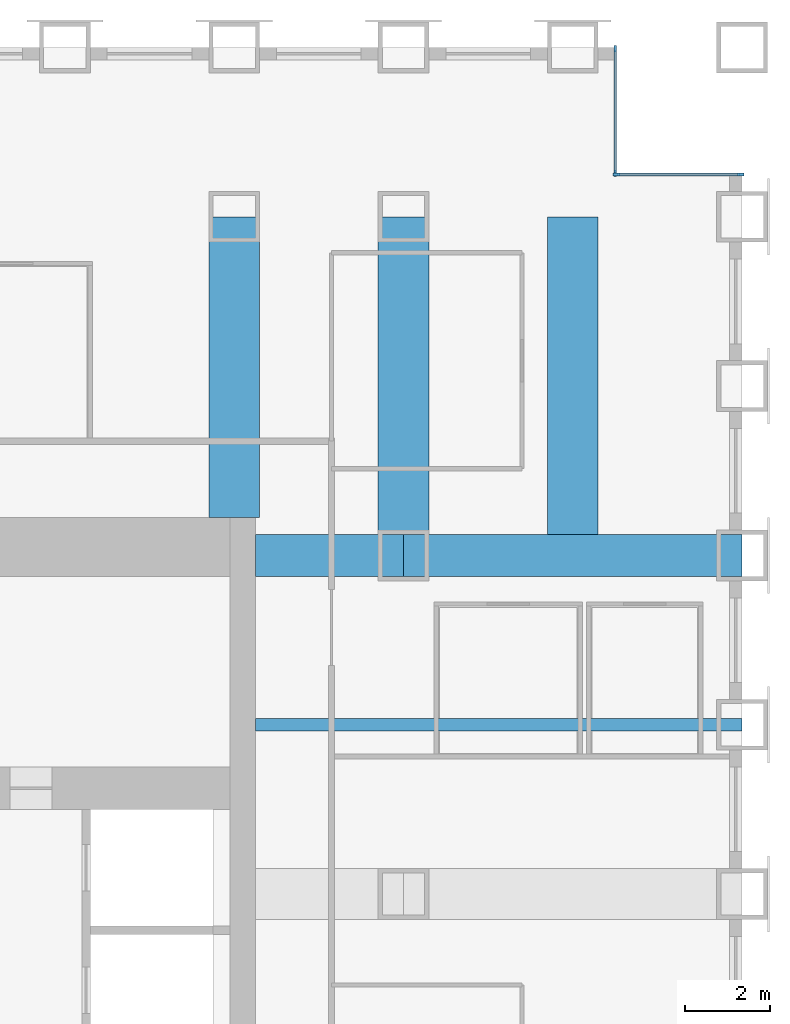
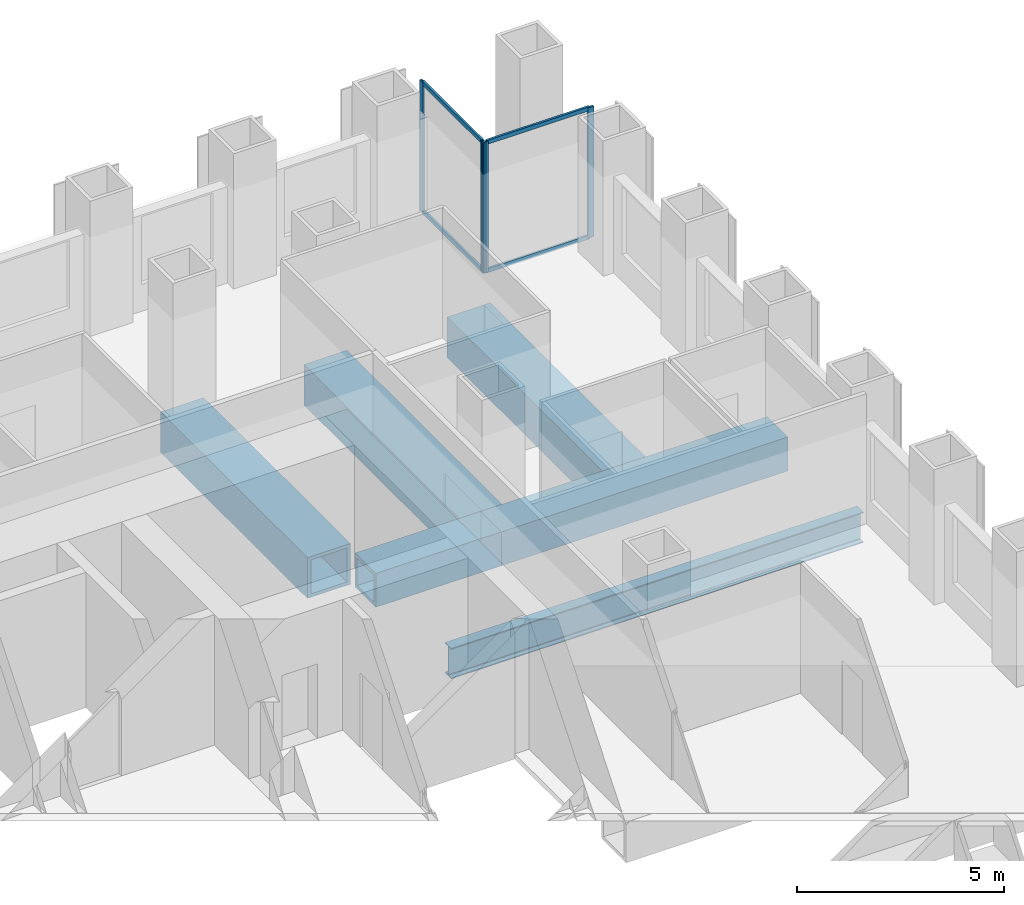
# One storey, part 6 of 14: 8 members, 6 beams, 2 elements without a shape of their own.
"""IFC4 building model written with IfcOpenShell, lengths in metres."""

from ifc_helpers import new_model, si_unit, direction, frame, origin, origin_2d, place, context, subcontext, project, spatial, rectangle, hollow_rectangle, i_section, extrude, material, material_profile, profile_set, type_object, element, aggregate, save


model = new_model("IFC4")

# Units and contexts
model_context = context("Model", 3, precision=1e-05, world=origin(), true_north=direction((0.0, 1.0)))
body_context = subcontext(model_context, "Body", "Model", "MODEL_VIEW")
ifc_project = project(units=[si_unit("LENGTHUNIT", "METRE"), si_unit("AREAUNIT", "SQUARE_METRE"), si_unit("VOLUMEUNIT", "CUBIC_METRE"), si_unit("PLANEANGLEUNIT", "RADIAN"), si_unit("MASSUNIT", "GRAM", prefix="KILO")], contexts=[model_context])

# Site, building, storey
site_placement = place(None, origin())
site = spatial("IfcSite", under=ifc_project, at=site_placement, CompositionType="ELEMENT")
building_placement = place(site_placement, origin())
building = spatial("IfcBuilding", under=site, at=building_placement, Name="Rimbunsela Tower", CompositionType="ELEMENT")
storey_placement = place(building_placement, frame((0.0, 0.0, 47.0)))
storey = spatial("IfcBuildingStorey", under=building, at=storey_placement, Name="L11", CompositionType="ELEMENT", Elevation=47.0)

# Beams
ifc_material_1 = material(Name="Steel BJ 55 (fy 410 MPa)", Category="steel")
ifc_material_profile_1 = material_profile(ifc_material_1, hollow_rectangle(XDim=1.0, YDim=1.0, WallThickness=0.10009765625, at=origin_2d()), Name="BOX 1000x1000x100")
ifc_profile_set_1 = profile_set([ifc_material_profile_1], Name="Steel BJ 55 (fy 410 MPa)")
beam_type_1 = type_object("IfcBeamType", Name="Beam BOX 1000x1000x100", PredefinedType="BEAM", material=ifc_profile_set_1)
beam_1_placement = place(storey_placement, frame((42.5, 36.0, -0.64990234375), z_axis=(1.0, 0.0, 0.0), x_axis=(0.0, 1.0, 0.0)))
element("IfcBeam", 1, at=beam_1_placement, inside=storey, type_object=beam_type_1, Name="Beam B3 L11", PredefinedType="BEAM", context=body_context, shape_type="SweptSolid", body=[
    extrude(hollow_rectangle(XDim=1.0, YDim=1.0, WallThickness=0.10009765625, at=origin_2d()), origin(), (0.0, 0.0, 1.0), 3.5),
])
beam_2_placement = place(storey_placement, frame((46.0, 36.0, -0.64990234375), z_axis=(1.0, 0.0, 0.0), x_axis=(0.0, 1.0, 0.0)))
element("IfcBeam", 2, at=beam_2_placement, inside=storey, type_object=beam_type_1, Name="Beam B3 L11", PredefinedType="BEAM", context=body_context, shape_type="SweptSolid", body=[
    extrude(hollow_rectangle(XDim=1.0, YDim=1.0, WallThickness=0.10009765625, at=origin_2d()), origin(), (0.0, 0.0, 1.0), 8.0),
])
ifc_material_2 = material(Name="Steel BJ 55 (fy 410 MPa)", Category="steel")
ifc_material_profile_2 = material_profile(ifc_material_2, hollow_rectangle(XDim=1.199951171875, YDim=1.199951171875, WallThickness=0.10009765625, at=origin_2d()), Name="BOX 1200x1200x100")
ifc_profile_set_2 = profile_set([ifc_material_profile_2], Name="Steel BJ 55 (fy 410 MPa)")
beam_type_2 = type_object("IfcBeamType", Name="Beam BOX 1200x1200x100", PredefinedType="BEAM", material=ifc_profile_set_2)
beam_3_placement = place(storey_placement, frame((42.0, 36.89990234375, -0.75), z_axis=(0.0, 1.0, 0.0), x_axis=(-1.0, 0.0, 0.0)))
element("IfcBeam", 3, at=beam_3_placement, inside=storey, type_object=beam_type_2, Name="Beam B5 L11", PredefinedType="BEAM", context=body_context, shape_type="SweptSolid", body=[
    extrude(hollow_rectangle(XDim=1.199951171875, YDim=1.199951171875, WallThickness=0.10009765625, at=origin_2d()), origin(), (0.0, 0.0, 1.0), 7.10009765625),
])
beam_4_placement = place(storey_placement, frame((46.0, 36.0, -0.75), z_axis=(0.0, 1.0, 0.0), x_axis=(-1.0, 0.0, 0.0)))
element("IfcBeam", 4, at=beam_4_placement, inside=storey, type_object=beam_type_2, Name="Beam B5 L11", PredefinedType="BEAM", context=body_context, shape_type="SweptSolid", body=[
    extrude(hollow_rectangle(XDim=1.199951171875, YDim=1.199951171875, WallThickness=0.10009765625, at=origin_2d()), origin(), (0.0, 0.0, 1.0), 8.0),
])
beam_5_placement = place(storey_placement, frame((50.0, 36.5, -0.75), z_axis=(0.0, 1.0, 0.0), x_axis=(-1.0, 0.0, 0.0)))
element("IfcBeam", 5, at=beam_5_placement, inside=storey, type_object=beam_type_2, Name="Beam B5 L11", PredefinedType="BEAM", context=body_context, shape_type="SweptSolid", body=[
    extrude(hollow_rectangle(XDim=1.199951171875, YDim=1.199951171875, WallThickness=0.10009765625, at=origin_2d()), origin(), (0.0, 0.0, 1.0), 7.5),
])
ifc_material_3 = material(Name="Steel BJ 55 (fy 410 MPa)", Category="steel")
ifc_material_profile_3 = material_profile(ifc_material_3, i_section(OverallWidth=0.300048828125, OverallDepth=0.89990234375, WebThickness=0.01611328125, FlangeThickness=0.028076171875, FilletRadius=0.028076171875, at=origin_2d()), Name="H 900x300x16x28")
ifc_profile_set_3 = profile_set([ifc_material_profile_3], Name="Steel BJ 55 (fy 410 MPa)")
beam_type_3 = type_object("IfcBeamType", Name="Beam H 900x300x16x28", PredefinedType="BEAM", material=ifc_profile_set_3)
beam_6_placement = place(storey_placement, frame((42.5, 32.0, -0.60009765625), z_axis=(1.0, 0.0, 0.0), x_axis=(0.0, 1.0, 0.0)))
element("IfcBeam", 6, at=beam_6_placement, inside=storey, type_object=beam_type_3, Name="Beam B2 L11", PredefinedType="BEAM", context=body_context, shape_type="SweptSolid", body=[
    extrude(i_section(OverallWidth=0.300048828125, OverallDepth=0.89990234375, WebThickness=0.01611328125, FlangeThickness=0.028076171875, FilletRadius=0.028076171875, at=origin_2d()), origin(), (0.0, 0.0, 1.0), 11.5),
])

# Curtain wall, members
ifc_material_4 = material(Name="Aluminium curtain wall", Category="aluminium")
curtain_wall_type = type_object("IfcCurtainWallType", Name="Corner glazing", PredefinedType="USERDEFINED", material=ifc_material_4)
curtain_wall_1_placement = place(storey_placement, origin())
curtain_wall_1 = element("IfcCurtainWall", 7, at=curtain_wall_1_placement, inside=storey, type_object=curtain_wall_type, Name="Corner glazing L11", ObjectType="CORNER GLAZING", PredefinedType="USERDEFINED")
ifc_material_5 = material(Name="Aluminium mullion", Category="aluminium")
ifc_material_profile_4 = material_profile(ifc_material_5, rectangle(XDim=0.06005859375, YDim=0.159912109375, at=origin_2d()), Name="Mullion 60x160")
ifc_profile_set_4 = profile_set([ifc_material_profile_4], Name="Aluminium mullion")
member_type_1 = type_object("IfcMemberType", Name="Curtain wall mullion 60x160", PredefinedType="MULLION", material=ifc_profile_set_4)
member_1_placement = place(storey_placement, frame((53.969970703125, 45.0, 0.0), z_axis=(0.0, 0.0, 1.0), x_axis=(0.0, -1.0, 0.0)))
member_1 = element("IfcMember", 8, at=member_1_placement, type_object=member_type_1, Name="CW5 mullion 1", PredefinedType="MULLION", context=body_context, shape_type="SweptSolid", body=[
    extrude(rectangle(XDim=0.06005859375, YDim=0.159912109375, at=origin_2d()), origin(), (0.0, 0.0, 1.0), 3.85009765625),
])
member_2_placement = place(storey_placement, frame((51.030029296875, 45.0, 0.0), z_axis=(0.0, 0.0, 1.0), x_axis=(0.0, -1.0, 0.0)))
member_2 = element("IfcMember", 9, at=member_2_placement, type_object=member_type_1, Name="CW5 mullion 2", PredefinedType="MULLION", context=body_context, shape_type="SweptSolid", body=[
    extrude(rectangle(XDim=0.06005859375, YDim=0.159912109375, at=origin_2d()), origin(), (0.0, 0.0, 1.0), 3.85009765625),
])

curtain_wall_2_placement = place(storey_placement, origin())
curtain_wall_2 = element("IfcCurtainWall", 10, at=curtain_wall_2_placement, inside=storey, type_object=curtain_wall_type, Name="Corner glazing L11", ObjectType="CORNER GLAZING", PredefinedType="USERDEFINED")
member_3_placement = place(storey_placement, frame((51.0, 45.030029296875, 0.0), z_axis=(0.0, 0.0, 1.0), x_axis=(-1.0, 0.0, 0.0)))
member_3 = element("IfcMember", 11, at=member_3_placement, type_object=member_type_1, Name="CW5 mullion 1", PredefinedType="MULLION", context=body_context, shape_type="SweptSolid", body=[
    extrude(rectangle(XDim=0.06005859375, YDim=0.159912109375, at=origin_2d()), origin(), (0.0, 0.0, 1.0), 3.85009765625),
])
member_4_placement = place(storey_placement, frame((51.0, 47.969970703125, 0.0), z_axis=(0.0, 0.0, 1.0), x_axis=(-1.0, 0.0, 0.0)))
member_4 = element("IfcMember", 12, at=member_4_placement, type_object=member_type_1, Name="CW5 mullion 2", PredefinedType="MULLION", context=body_context, shape_type="SweptSolid", body=[
    extrude(rectangle(XDim=0.06005859375, YDim=0.159912109375, at=origin_2d()), origin(), (0.0, 0.0, 1.0), 3.85009765625),
])

# Member
ifc_material_6 = material(Name="Aluminium transom", Category="aluminium")
ifc_material_profile_5 = material_profile(ifc_material_6, rectangle(XDim=0.06005859375, YDim=0.1201171875, at=origin_2d()), Name="Transom 60x120")
ifc_profile_set_5 = profile_set([ifc_material_profile_5], Name="Aluminium transom")
member_type_2 = type_object("IfcMemberType", Name="Curtain wall transom 60x120", PredefinedType="USERDEFINED", material=ifc_profile_set_5)
member_5_placement = place(storey_placement, frame((53.93994140625, 45.0, 0.030029296875), z_axis=(-1.0, 0.0, 0.0), x_axis=(0.0, -1.0, 0.0)))
member_5 = element("IfcMember", 13, at=member_5_placement, type_object=member_type_2, Name="CW5 transom 1.1", ObjectType="TRANSOM", PredefinedType="USERDEFINED", context=body_context, shape_type="SweptSolid", body=[
    extrude(rectangle(XDim=0.06005859375, YDim=0.1201171875, at=origin_2d()), origin(), (0.0, 0.0, 1.0), 2.8798828125),
])

member_6_placement = place(storey_placement, frame((53.93994140625, 45.0, 3.820068359375), z_axis=(-1.0, 0.0, 0.0), x_axis=(0.0, -1.0, 0.0)))
member_6 = element("IfcMember", 14, at=member_6_placement, type_object=member_type_2, Name="CW5 transom 1.2", ObjectType="TRANSOM", PredefinedType="USERDEFINED", context=body_context, shape_type="SweptSolid", body=[
    extrude(rectangle(XDim=0.06005859375, YDim=0.1201171875, at=origin_2d()), origin(), (0.0, 0.0, 1.0), 2.8798828125),
])

aggregate(curtain_wall_1, [member_1, member_2, member_5, member_6])

member_7_placement = place(storey_placement, frame((51.0, 45.06005859375, 0.030029296875), z_axis=(0.0, 1.0, 0.0), x_axis=(-1.0, 0.0, 0.0)))
member_7 = element("IfcMember", 15, at=member_7_placement, type_object=member_type_2, Name="CW5 transom 1.1", ObjectType="TRANSOM", PredefinedType="USERDEFINED", context=body_context, shape_type="SweptSolid", body=[
    extrude(rectangle(XDim=0.06005859375, YDim=0.1201171875, at=origin_2d()), origin(), (0.0, 0.0, 1.0), 2.8798828125),
])

member_8_placement = place(storey_placement, frame((51.0, 45.06005859375, 3.820068359375), z_axis=(0.0, 1.0, 0.0), x_axis=(-1.0, 0.0, 0.0)))
member_8 = element("IfcMember", 16, at=member_8_placement, type_object=member_type_2, Name="CW5 transom 1.2", ObjectType="TRANSOM", PredefinedType="USERDEFINED", context=body_context, shape_type="SweptSolid", body=[
    extrude(rectangle(XDim=0.06005859375, YDim=0.1201171875, at=origin_2d()), origin(), (0.0, 0.0, 1.0), 2.8798828125),
])

aggregate(curtain_wall_2, [member_3, member_4, member_7, member_8])

save(model, "model.ifc")
